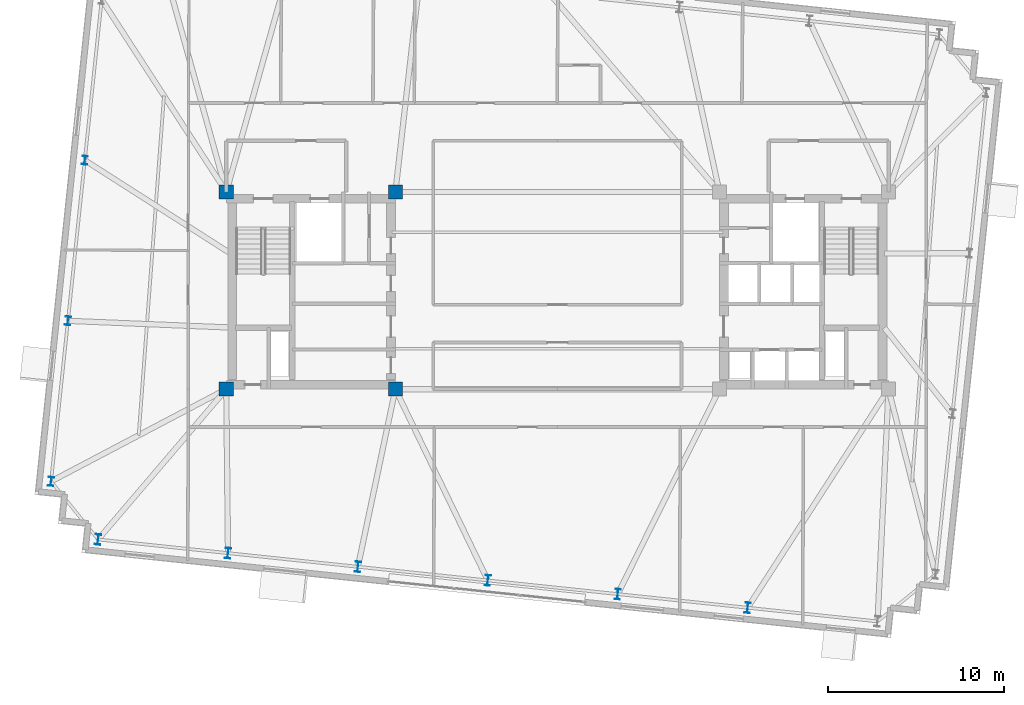
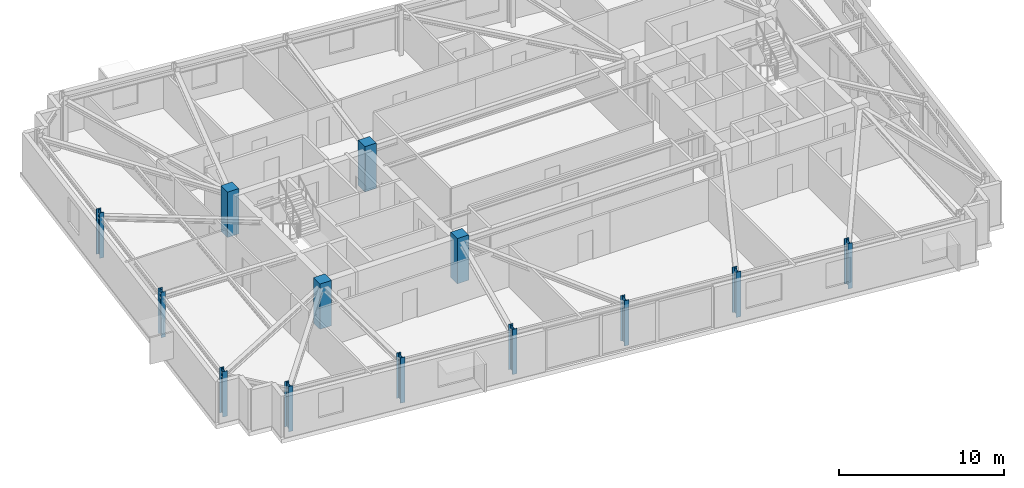
# One storey, part 1 of 13: 13 columns.
"""IFC4 building model written with IfcOpenShell, lengths in metres."""

from ifc_helpers import new_model, si_unit, direction, frame, origin, origin_2d, place, context, subcontext, project, spatial, rectangle, i_section, extrude, material, material_profile, profile_set, type_object, element, save


model = new_model("IFC4")

# Units and contexts
model_context = context("Model", 3, precision=1e-05, world=origin(), true_north=direction((0.0, 1.0)))
body_context = subcontext(model_context, "Body", "Model", "MODEL_VIEW")
ifc_project = project(units=[si_unit("LENGTHUNIT", "METRE"), si_unit("AREAUNIT", "SQUARE_METRE"), si_unit("VOLUMEUNIT", "CUBIC_METRE"), si_unit("PLANEANGLEUNIT", "RADIAN"), si_unit("MASSUNIT", "GRAM", prefix="KILO")], contexts=[model_context])

# Site, building, storey
site_placement = place(None, origin())
site = spatial("IfcSite", under=ifc_project, at=site_placement, CompositionType="ELEMENT")
building_placement = place(site_placement, origin())
building = spatial("IfcBuilding", under=site, at=building_placement, Name="Qobustan Lattice House", CompositionType="ELEMENT")
storey_placement = place(building_placement, frame((0.0, 0.0, 196.39990234375)))
storey = spatial("IfcBuildingStorey", under=building, at=storey_placement, Name="L55", CompositionType="ELEMENT", Elevation=196.39990234375)

# Columns
ifc_material_1 = material(Name="Concrete C50/60", Category="concrete")
ifc_material_profile_1 = material_profile(ifc_material_1, rectangle(XDim=0.800048828125, YDim=0.800048828125, at=origin_2d()), Name="RC800x800")
ifc_profile_set_1 = profile_set([ifc_material_profile_1], Name="Concrete C50/60")
column_type_1 = type_object("IfcColumnType", Name="COL-RC-800", PredefinedType="COLUMN", material=ifc_profile_set_1)
for number, where, z_axis, x_axis, name in (
    (1, (-18.800048828125, -5.60009765625, 0.0), (0.0, 0.0, 1.0), (1.0, 0.0, 0.0), "L55 core mega-column CW-SW"),
    (2, (-18.800048828125, 5.60009765625, 0.0), (0.0, 0.0, 1.0), (1.0, 0.0, 0.0), "L55 core mega-column CW-NW"),
    (3, (-9.199951171875, -5.60009765625, 0.0), (0.0, 0.0, 1.0), (1.0, 0.0, 0.0), "L55 core mega-column CW-SE"),
    (4, (-9.199951171875, 5.60009765625, 0.0), (0.0, 0.0, 1.0), (1.0, 0.0, 0.0), "L55 core mega-column CW-NE"),
):
    element("IfcColumn", number, at=place(storey_placement, frame(where, z_axis=z_axis, x_axis=x_axis)), inside=storey, type_object=column_type_1, Name=name, PredefinedType="COLUMN", context=body_context, shape_type="SweptSolid", body=[
        extrude(rectangle(XDim=0.800048828125, YDim=0.800048828125, at=origin_2d()), origin(), (0.0, 0.0, 1.0), 3.35009765625),
    ])
ifc_material_2 = material(Name="Steel S355", Category="steel")
ifc_material_profile_2 = material_profile(ifc_material_2, i_section(OverallWidth=0.300048828125, OverallDepth=0.5, WebThickness=0.014404296875, FlangeThickness=0.028076171875, FilletRadius=0.027099609375, at=origin_2d()), Name="HEB500")
ifc_profile_set_2 = profile_set([ifc_material_profile_2], Name="Steel S355")
column_type_2 = type_object("IfcColumnType", Name="COL-ST-HEB500", PredefinedType="COLUMN", material=ifc_profile_set_2)
for number, where, z_axis, x_axis, name in (
    (5, (-26.83251953125, 7.397705078125, 0.0), (0.0, 0.0, 1.0), (0.994521895368, -0.104528463268, 0.0), "L55 B4 perimeter column W2"),
    (6, (-27.790771484375, -1.718994140625, 0.0), (0.0, 0.0, 1.0), (0.994521895368, -0.104528463268, 0.0), "L55 B4 perimeter column W3"),
    (7, (-28.748779296875, -10.835205078125, 0.0), (0.0, 0.0, 1.0), (0.994521895368, -0.104528463268, 0.0), "L55 B4 perimeter column W4"),
):
    element("IfcColumn", number, at=place(storey_placement, frame(where, z_axis=z_axis, x_axis=x_axis)), inside=storey, type_object=column_type_2, Name=name, PredefinedType="COLUMN", context=body_context, shape_type="SweptSolid", body=[
        extrude(i_section(OverallWidth=0.300048828125, OverallDepth=0.5, WebThickness=0.014404296875, FlangeThickness=0.028076171875, FilletRadius=0.027099609375, at=origin_2d()), origin(), (0.0, 0.0, 1.0), 3.35009765625),
    ])
ifc_material_3 = material(Name="Steel S355", Category="steel")
ifc_material_profile_3 = material_profile(ifc_material_3, i_section(OverallWidth=0.300048828125, OverallDepth=0.60009765625, WebThickness=0.015380859375, FlangeThickness=0.030029296875, FilletRadius=0.027099609375, at=origin_2d()), Name="HEB600")
ifc_profile_set_3 = profile_set([ifc_material_profile_3], Name="Steel S355")
column_type_3 = type_object("IfcColumnType", Name="COL-ST-HEB600", PredefinedType="COLUMN", material=ifc_profile_set_3)
for number, where, z_axis, x_axis, name in (
    (8, (-26.0791015625, -14.132568359375, 0.0), (0.0, 0.0, 1.0), (0.994521895368, -0.104528463268, 0.0), "L55 B4 perimeter column S1"),
    (9, (-18.702880859375, -14.90771484375, 0.0), (0.0, 0.0, 1.0), (0.994521895368, -0.104528463268, 0.0), "L55 B4 perimeter column S2"),
    (10, (-11.326904296875, -15.68310546875, 0.0), (0.0, 0.0, 1.0), (0.994521895368, -0.104528463268, 0.0), "L55 B4 perimeter column S3"),
    (11, (-3.950927734375, -16.458251953125, 0.0), (0.0, 0.0, 1.0), (0.994521895368, -0.104528463268, 0.0), "L55 B4 perimeter column S4"),
    (12, (3.42529296875, -17.2333984375, 0.0), (0.0, 0.0, 1.0), (0.994521895368, -0.104528463268, 0.0), "L55 B4 perimeter column S5"),
    (13, (10.80126953125, -18.0087890625, 0.0), (0.0, 0.0, 1.0), (0.994521895368, -0.104528463268, 0.0), "L55 B4 perimeter column S6"),
):
    element("IfcColumn", number, at=place(storey_placement, frame(where, z_axis=z_axis, x_axis=x_axis)), inside=storey, type_object=column_type_3, Name=name, PredefinedType="COLUMN", context=body_context, shape_type="SweptSolid", body=[
        extrude(i_section(OverallWidth=0.300048828125, OverallDepth=0.60009765625, WebThickness=0.015380859375, FlangeThickness=0.030029296875, FilletRadius=0.027099609375, at=origin_2d()), origin(), (0.0, 0.0, 1.0), 3.35009765625),
    ])

save(model, "model.ifc")
